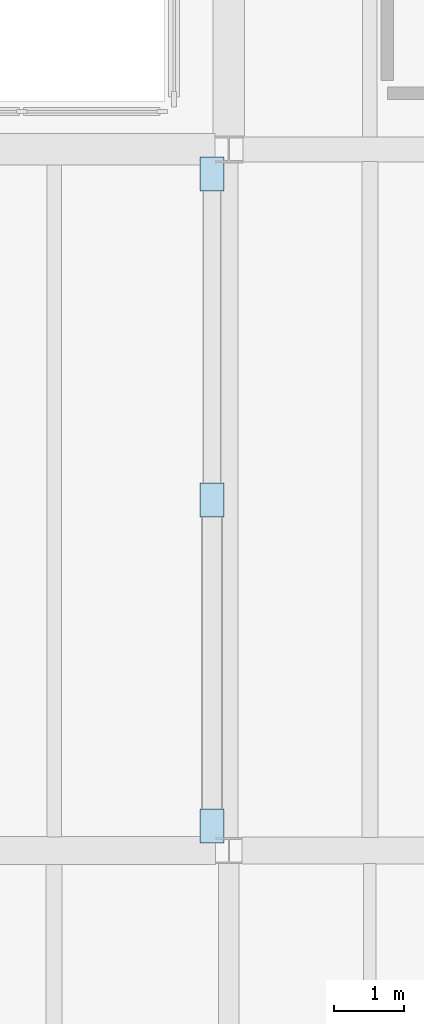
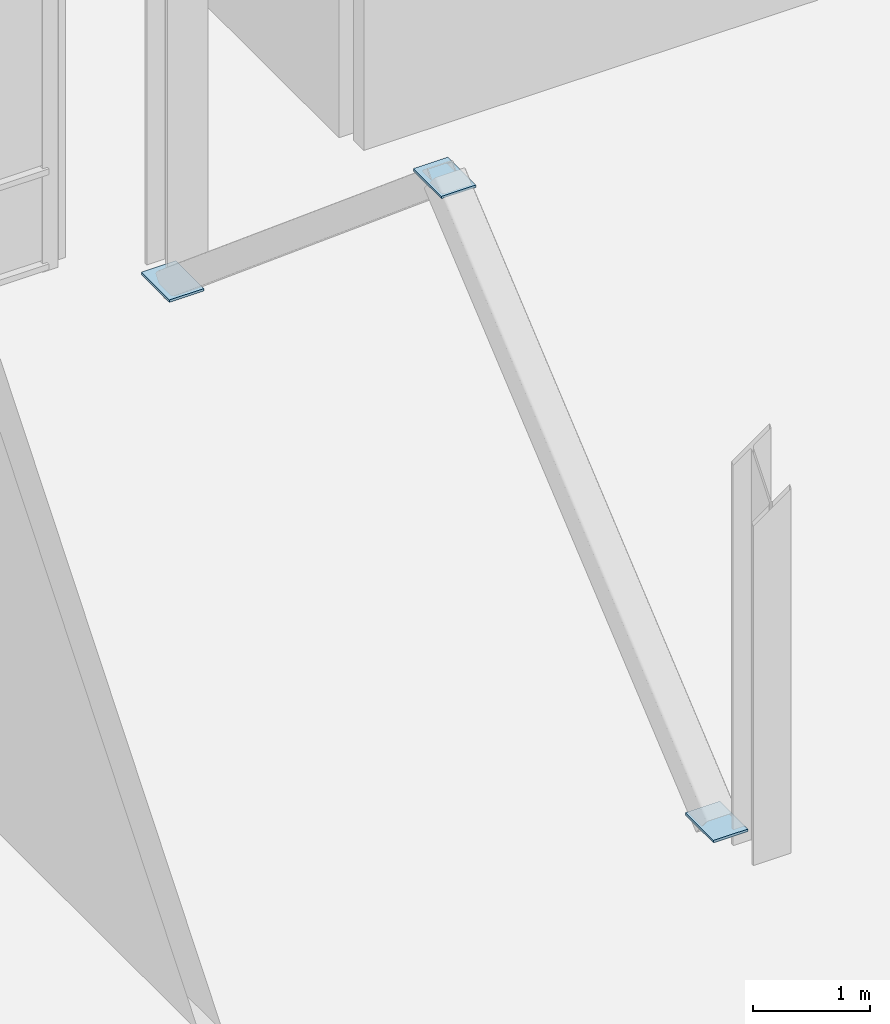
# One storey, part 66 of 88: 3 plates.
"""IFC4 building model written with IfcOpenShell, lengths in metres."""

from ifc_helpers import new_model, si_unit, direction, frame, origin, origin_2d, place, context, subcontext, project, spatial, rectangle, extrude, material, layer, layer_set, type_object, element, save


model = new_model("IFC4")

# Units and contexts
model_context = context("Model", 3, precision=1e-05, world=origin(), true_north=direction((0.0, 1.0)))
body_context = subcontext(model_context, "Body", "Model", "MODEL_VIEW")
ifc_project = project(units=[si_unit("LENGTHUNIT", "METRE"), si_unit("AREAUNIT", "SQUARE_METRE"), si_unit("VOLUMEUNIT", "CUBIC_METRE"), si_unit("PLANEANGLEUNIT", "RADIAN"), si_unit("MASSUNIT", "GRAM", prefix="KILO")], contexts=[model_context])

# Site, building, storey
site_placement = place(None, origin())
site = spatial("IfcSite", under=ifc_project, at=site_placement, CompositionType="ELEMENT")
building_placement = place(site_placement, origin())
building = spatial("IfcBuilding", under=site, at=building_placement, Name="Trimount Lyric Opera House", CompositionType="ELEMENT")
storey_placement = place(building_placement, origin())
storey = spatial("IfcBuildingStorey", under=building, at=storey_placement, Name="L00", CompositionType="ELEMENT", Elevation=0.0)

# Plates
ifc_material = material(Name="Steel ASTM A572 Grade 50", Category="steel")
ifc_layer = layer(ifc_material, 0.02490234375)
ifc_layer_set = layer_set([ifc_layer], Name="KN-02")
plate_type = type_object("IfcPlateType", Name="KN-02", PredefinedType="USERDEFINED", material=ifc_layer_set)
for number, where, z_axis, x_axis, name in (
    (1, (148.0, 64.35009765625, 0.137451171875), (0.0, 0.0, 1.0), (0.0, 1.0, 0.0), "L00 brace BRC-BF-4-L00-L1 end gusset plate A"),
    (2, (148.0, 69.0, 4.03759765625), (0.0, 0.0, 1.0), (0.0, 1.0, 0.0), "L00 brace BRC-BF-4-L00-L1 end gusset plate B"),
    (3, (148.0, 73.64990234375, 0.137451171875), (0.0, 0.0, 1.0), (0.0, -1.0, 0.0), "L00 brace BRC-BF-4-L00-L2 end gusset plate A"),
):
    element("IfcPlate", number, at=place(storey_placement, frame(where, z_axis=z_axis, x_axis=x_axis)), inside=storey, type_object=plate_type, Name=name, ObjectType="GUSSET_PLATE", PredefinedType="USERDEFINED", context=body_context, shape_type="SweptSolid", body=[
        extrude(rectangle(XDim=0.47998046875, YDim=0.340087890625, at=origin_2d()), origin(), (0.0, 0.0, 1.0), 0.02490234375),
    ])

save(model, "model.ifc")
